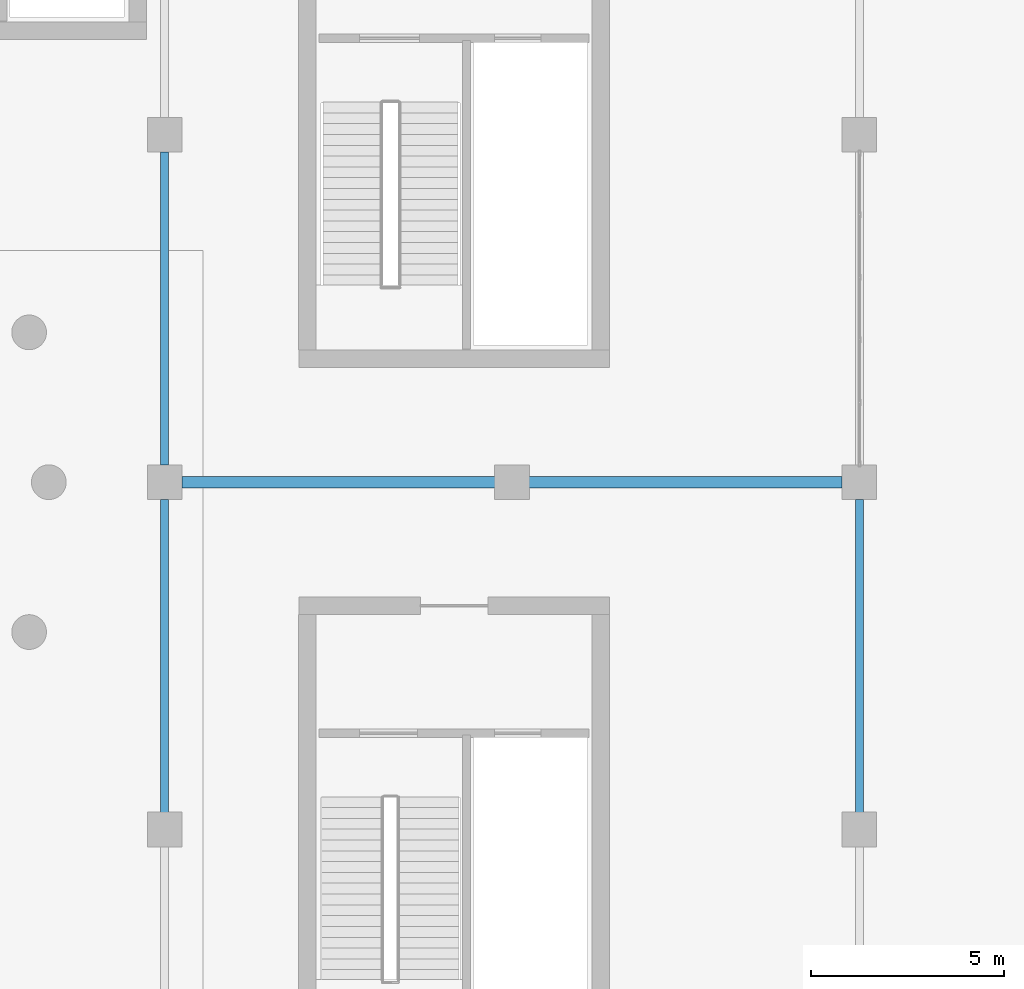
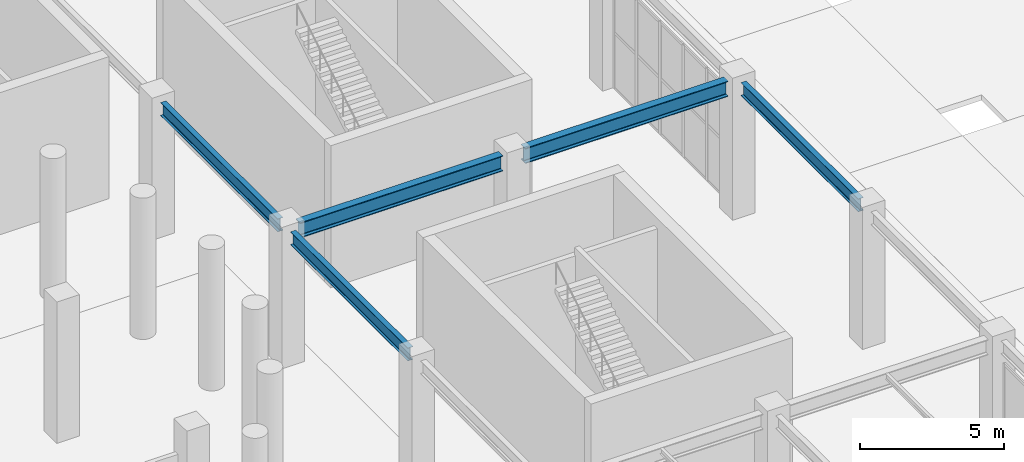
# One storey, part 27 of 91: 5 beams.
"""IFC4 building model written with IfcOpenShell, lengths in metres."""

from ifc_helpers import new_model, si_unit, direction, frame, origin, origin_2d, place, context, subcontext, project, spatial, i_section, extrude, material, material_profile, profile_set, type_object, element, save


model = new_model("IFC4")

# Units and contexts
model_context = context("Model", 3, precision=1e-05, world=origin(), true_north=direction((0.0, 1.0)))
body_context = subcontext(model_context, "Body", "Model", "MODEL_VIEW")
ifc_project = project(units=[si_unit("LENGTHUNIT", "METRE"), si_unit("AREAUNIT", "SQUARE_METRE"), si_unit("VOLUMEUNIT", "CUBIC_METRE"), si_unit("PLANEANGLEUNIT", "RADIAN"), si_unit("MASSUNIT", "GRAM", prefix="KILO")], contexts=[model_context])

# Site, building, storey
site_placement = place(None, origin())
site = spatial("IfcSite", under=ifc_project, at=site_placement, CompositionType="ELEMENT")
building_placement = place(site_placement, origin())
building = spatial("IfcBuilding", under=site, at=building_placement, Name="Dornveld Trade and Exhibition Forum", CompositionType="ELEMENT")
storey_placement = place(building_placement, origin())
storey = spatial("IfcBuildingStorey", under=building, at=storey_placement, Name="L00", CompositionType="ELEMENT", Elevation=0.0)

# Beams
ifc_material_1 = material(Name="Steel S355J2", Category="steel")
ifc_material_profile_1 = material_profile(ifc_material_1, i_section(OverallWidth=0.300048828125, OverallDepth=0.64990234375, WebThickness=0.01611328125, FlangeThickness=0.031005859375, FilletRadius=0.027099609375, at=origin_2d()), Name="HEB 650")
ifc_profile_set_1 = profile_set([ifc_material_profile_1], Name="Steel S355J2")
beam_type_1 = type_object("IfcBeamType", Name="BM-GIR-HEB650", PredefinedType="USERDEFINED", material=ifc_profile_set_1)
for number, where, z_axis, x_axis, name in (
    (1, (135.446044921875, 81.0, 5.375), (1.0, 0.0, 0.0), (0.0, 1.0, 0.0), "L00 X-girder 683"),
    (2, (144.446044921875, 81.0, 5.375), (1.0, 0.0, 0.0), (0.0, 1.0, 0.0), "L00 X-girder 684"),
):
    element("IfcBeam", number, at=place(storey_placement, frame(where, z_axis=z_axis, x_axis=x_axis)), inside=storey, type_object=beam_type_1, Name=name, ObjectType="GIRDER", PredefinedType="USERDEFINED", context=body_context, shape_type="SweptSolid", body=[
        extrude(i_section(OverallWidth=0.300048828125, OverallDepth=0.64990234375, WebThickness=0.01611328125, FlangeThickness=0.031005859375, FilletRadius=0.027099609375, at=origin_2d()), origin(), (0.0, 0.0, 1.0), 8.10791015625),
    ])
ifc_material_2 = material(Name="Steel S355J2", Category="steel")
ifc_material_profile_2 = material_profile(ifc_material_2, i_section(OverallWidth=0.2099609375, OverallDepth=0.550048828125, WebThickness=0.010986328125, FlangeThickness=0.01708984375, FilletRadius=0.02392578125, at=origin_2d()), Name="IPE 550")
ifc_profile_set_2 = profile_set([ifc_material_profile_2], Name="Steel S355J2")
beam_type_2 = type_object("IfcBeamType", Name="BM-SEC-550", PredefinedType="BEAM", material=ifc_profile_set_2)
for number, where, z_axis, x_axis, name in (
    (3, (135.0, 72.446044921875, 5.425048828125), (0.0, 1.0, 0.0), (-1.0, 0.0, 0.0), "L00 Y-girder 731"),
    (4, (135.0, 81.446044921875, 5.425048828125), (0.0, 1.0, 0.0), (-1.0, 0.0, 0.0), "L00 Y-girder 732"),
    (5, (153.0, 72.446044921875, 5.425048828125), (0.0, 1.0, 0.0), (-1.0, 0.0, 0.0), "L00 Y-girder 745"),
):
    element("IfcBeam", number, at=place(storey_placement, frame(where, z_axis=z_axis, x_axis=x_axis)), inside=storey, type_object=beam_type_2, Name=name, PredefinedType="BEAM", context=body_context, shape_type="SweptSolid", body=[
        extrude(i_section(OverallWidth=0.2099609375, OverallDepth=0.550048828125, WebThickness=0.010986328125, FlangeThickness=0.01708984375, FilletRadius=0.02392578125, at=origin_2d()), origin(), (0.0, 0.0, 1.0), 8.10791015625),
    ])

save(model, "model.ifc")
